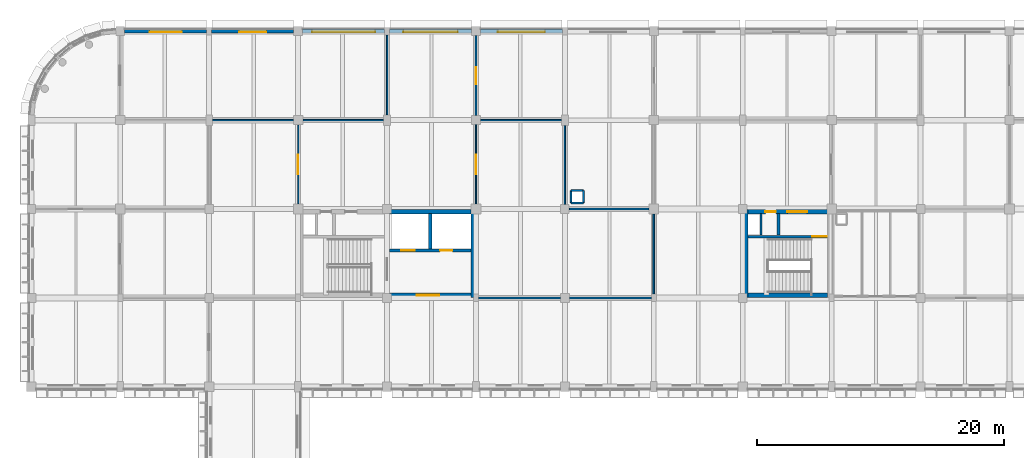
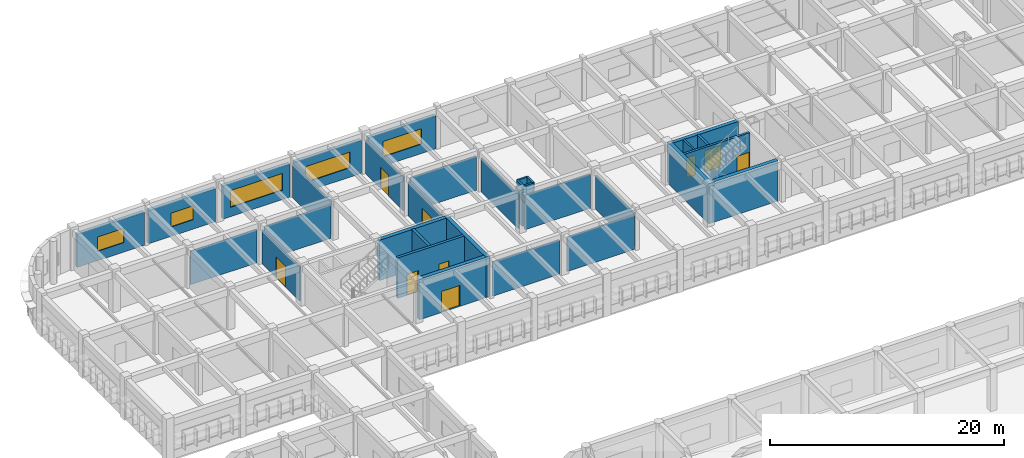
# One storey, part 45 of 61: 32 walls, 9 doors, 5 windows, 14 openings.
"""IFC4 building model written with IfcOpenShell, lengths in metres."""

from ifc_helpers import new_model, si_unit, direction, frame, frame_2d, origin, place, context, subcontext, project, spatial, rectangle, extrude, material, layer, layer_set, type_object, element, fill, save


model = new_model("IFC4")

# Units and contexts
model_context = context("Model", 3, precision=1e-05, world=origin(), true_north=direction((0.0, 1.0)))
body_context = subcontext(model_context, "Body", "Model", "MODEL_VIEW")
ifc_project = project(units=[si_unit("LENGTHUNIT", "METRE"), si_unit("AREAUNIT", "SQUARE_METRE"), si_unit("VOLUMEUNIT", "CUBIC_METRE"), si_unit("PLANEANGLEUNIT", "RADIAN"), si_unit("MASSUNIT", "GRAM", prefix="KILO")], contexts=[model_context])

# Site, building, storey
site_placement = place(None, origin())
site = spatial("IfcSite", under=ifc_project, at=site_placement, CompositionType="ELEMENT")
building_placement = place(site_placement, origin())
building = spatial("IfcBuilding", under=site, at=building_placement, Name="Thalmaran Polytechnic", CompositionType="ELEMENT")
storey_placement = place(building_placement, frame((0.0, 0.0, 9.89990234375)))
storey = spatial("IfcBuildingStorey", under=building, at=storey_placement, Name="L02", CompositionType="ELEMENT", Elevation=9.89990234375)

# Wall, opening, window
ifc_material_1 = material(Name="Precast concrete C40/50", Category="concrete")
ifc_layer_1 = layer(ifc_material_1, 0.330078125, Name="Precast concrete C40/50")
ifc_layer_set_1 = layer_set([ifc_layer_1], Name="Precast concrete C40/50")
wall_type_1 = type_object("IfcWallType", Name="WL-EW02", PredefinedType="STANDARD", material=ifc_layer_set_1)
wall_1_placement = place(storey_placement, frame((7.56005859375, 122.39990234375, 0.0), z_axis=(0.0, 0.0, 1.0), x_axis=(1.0, 0.0, 0.0)))
wall_1 = element("IfcWall", 1, at=wall_1_placement, inside=storey, type_object=wall_type_1, Name="Exterior Precast Facade Wall L02-029", PredefinedType="STANDARD", context=body_context, shape_type="SweptSolid", body=[
    extrude(rectangle(XDim=6.639892578125, YDim=0.330078125, at=frame_2d((3.31982421875, 0.0))), origin(), (0.0, 0.0, 1.0), 3.47021484375),
])
opening_1_placement = place(wall_1_placement, frame((2.02001953125, 0.0, 0.97998046875)))
opening_1 = element("IfcOpeningElement", 2, at=opening_1_placement, cuts=wall_1, Name="Opening VW05", PredefinedType="OPENING", context=body_context, shape_type="SweptSolid", body=[
    extrude(rectangle(XDim=2.60009765625, YDim=1.5, at=frame_2d((1.300048828125, 0.75))), frame((0.0, 0.175048828125, 0.0), z_axis=(0.0, -1.0, 0.0), x_axis=(1.0, 0.0, 0.0)), (0.0, 0.0, 1.0), 0.35009765625),
])
ifc_material_2 = material(Name="Thermally broken aluminium and double low-E glass", Category="aluminium")
window_type_1 = type_object("IfcWindowType", Name="WN-VZ05", PartitioningType="DOUBLE_PANEL_VERTICAL", PredefinedType="WINDOW", material=ifc_material_2)
window_1_placement = place(opening_1_placement, origin())
window_1 = element("IfcWindow", 3, at=window_1_placement, inside=storey, type_object=window_type_1, Name="Streamline Ribbon Window W-0229", OverallHeight=1.5, OverallWidth=2.60009765625, PartitioningType="SINGLE_PANEL", PredefinedType="WINDOW", context=body_context, shape_type="SweptSolid", body=[
    extrude(rectangle(XDim=2.60009765625, YDim=1.5, at=frame_2d((1.300048828125, 0.75))), frame((0.0, -0.030029296875, 0.0), z_axis=(0.0, -1.0, 0.0), x_axis=(1.0, 0.0, 0.0)), (0.0, 0.0, 1.0), 0.06005859375),
])
fill(opening_1, window_1)

wall_2_placement = place(storey_placement, frame((14.60009765625, 122.39990234375, 0.0), z_axis=(0.0, 0.0, 1.0), x_axis=(1.0, 0.0, 0.0)))
wall_2 = element("IfcWall", 4, at=wall_2_placement, inside=storey, type_object=wall_type_1, Name="Exterior Precast Facade Wall L02-030", PredefinedType="STANDARD", context=body_context, shape_type="SweptSolid", body=[
    extrude(rectangle(XDim=6.639892578125, YDim=0.330078125, at=frame_2d((3.31982421875, 0.0))), origin(), (0.0, 0.0, 1.0), 3.47021484375),
])
opening_2_placement = place(wall_2_placement, frame((2.219970703125, 0.0, 0.97998046875)))
opening_2 = element("IfcOpeningElement", 5, at=opening_2_placement, cuts=wall_2, Name="Opening VW06", PredefinedType="OPENING", context=body_context, shape_type="SweptSolid", body=[
    extrude(rectangle(XDim=2.199951171875, YDim=1.449951171875, at=frame_2d((1.10009765625, 0.72509765625))), frame((0.0, 0.175048828125, 0.0), z_axis=(0.0, -1.0, 0.0), x_axis=(1.0, 0.0, 0.0)), (0.0, 0.0, 1.0), 0.35009765625),
])
window_type_2 = type_object("IfcWindowType", Name="WN-VZ06", PartitioningType="DOUBLE_PANEL_VERTICAL", PredefinedType="WINDOW", material=ifc_material_2)
window_2_placement = place(opening_2_placement, origin())
window_2 = element("IfcWindow", 6, at=window_2_placement, inside=storey, type_object=window_type_2, Name="Streamline Ribbon Window W-0230", OverallHeight=1.449951171875, OverallWidth=2.199951171875, PartitioningType="SINGLE_PANEL", PredefinedType="WINDOW", context=body_context, shape_type="SweptSolid", body=[
    extrude(rectangle(XDim=2.199951171875, YDim=1.449951171875, at=frame_2d((1.10009765625, 0.72509765625))), frame((0.0, -0.030029296875, 0.0), z_axis=(0.0, -1.0, 0.0), x_axis=(1.0, 0.0, 0.0)), (0.0, 0.0, 1.0), 0.06005859375),
])
fill(opening_2, window_2)

wall_3_placement = place(storey_placement, frame((21.9599609375, 122.39990234375, 0.0), z_axis=(0.0, 0.0, 1.0), x_axis=(1.0, 0.0, 0.0)))
wall_3 = element("IfcWall", 7, at=wall_3_placement, inside=storey, type_object=wall_type_1, Name="Exterior Precast Facade Wall L02-031", PredefinedType="STANDARD", context=body_context, shape_type="SweptSolid", body=[
    extrude(rectangle(XDim=6.64013671875, YDim=0.330078125, at=frame_2d((3.320068359375, 0.0))), origin(), (0.0, 0.0, 1.0), 3.47021484375),
])
opening_3_placement = place(wall_3_placement, frame((0.77001953125, 0.0, 0.97998046875)))
opening_3 = element("IfcOpeningElement", 8, at=opening_3_placement, cuts=wall_3, Name="Opening VW15", PredefinedType="OPENING", context=body_context, shape_type="SweptSolid", body=[
    extrude(rectangle(XDim=5.10009765625, YDim=1.75, at=frame_2d((2.550048828125, 0.875))), frame((0.0, 0.175048828125, 0.0), z_axis=(0.0, -1.0, 0.0), x_axis=(1.0, 0.0, 0.0)), (0.0, 0.0, 1.0), 0.35009765625),
])
window_type_3 = type_object("IfcWindowType", Name="WN-VZ15", PartitioningType="TRIPLE_PANEL_HORIZONTAL", PredefinedType="WINDOW", material=ifc_material_2)
window_3_placement = place(opening_3_placement, origin())
window_3 = element("IfcWindow", 9, at=window_3_placement, inside=storey, type_object=window_type_3, Name="Streamline Ribbon Window W-0231", OverallHeight=1.75, OverallWidth=5.10009765625, PartitioningType="SINGLE_PANEL", PredefinedType="WINDOW", context=body_context, shape_type="SweptSolid", body=[
    extrude(rectangle(XDim=5.10009765625, YDim=1.75, at=frame_2d((2.550048828125, 0.875))), frame((0.0, -0.030029296875, 0.0), z_axis=(0.0, -1.0, 0.0), x_axis=(1.0, 0.0, 0.0)), (0.0, 0.0, 1.0), 0.06005859375),
])
fill(opening_3, window_3)

wall_4_placement = place(storey_placement, frame((29.0, 122.39990234375, 0.0), z_axis=(0.0, 0.0, 1.0), x_axis=(1.0, 0.0, 0.0)))
wall_4 = element("IfcWall", 10, at=wall_4_placement, inside=storey, type_object=wall_type_1, Name="Exterior Precast Facade Wall L02-032", PredefinedType="STANDARD", context=body_context, shape_type="SweptSolid", body=[
    extrude(rectangle(XDim=6.639892578125, YDim=0.330078125, at=frame_2d((3.31982421875, 0.0))), origin(), (0.0, 0.0, 1.0), 3.47021484375),
])
opening_4_placement = place(wall_4_placement, frame((1.1201171875, 0.0, 0.97998046875)))
opening_4 = element("IfcOpeningElement", 11, at=opening_4_placement, cuts=wall_4, Name="Opening VW16", PredefinedType="OPENING", context=body_context, shape_type="SweptSolid", body=[
    extrude(rectangle(XDim=4.39990234375, YDim=1.64990234375, at=frame_2d((2.199951171875, 0.824951171875))), frame((0.0, 0.175048828125, 0.0), z_axis=(0.0, -1.0, 0.0), x_axis=(1.0, 0.0, 0.0)), (0.0, 0.0, 1.0), 0.35009765625),
])
window_type_4 = type_object("IfcWindowType", Name="WN-VZ16", PartitioningType="TRIPLE_PANEL_HORIZONTAL", PredefinedType="WINDOW", material=ifc_material_2)
window_4_placement = place(opening_4_placement, origin())
window_4 = element("IfcWindow", 12, at=window_4_placement, inside=storey, type_object=window_type_4, Name="Streamline Ribbon Window W-0232", OverallHeight=1.64990234375, OverallWidth=4.39990234375, PartitioningType="SINGLE_PANEL", PredefinedType="WINDOW", context=body_context, shape_type="SweptSolid", body=[
    extrude(rectangle(XDim=4.39990234375, YDim=1.64990234375, at=frame_2d((2.199951171875, 0.824951171875))), frame((0.0, -0.030029296875, 0.0), z_axis=(0.0, -1.0, 0.0), x_axis=(1.0, 0.0, 0.0)), (0.0, 0.0, 1.0), 0.06005859375),
])
fill(opening_4, window_4)

wall_5_placement = place(storey_placement, frame((36.360107421875, 122.39990234375, 0.0), z_axis=(0.0, 0.0, 1.0), x_axis=(1.0, 0.0, 0.0)))
wall_5 = element("IfcWall", 13, at=wall_5_placement, inside=storey, type_object=wall_type_1, Name="Exterior Precast Facade Wall L02-033", PredefinedType="STANDARD", context=body_context, shape_type="SweptSolid", body=[
    extrude(rectangle(XDim=6.639892578125, YDim=0.330078125, at=frame_2d((3.31982421875, 0.0))), origin(), (0.0, 0.0, 1.0), 3.47021484375),
])
opening_5_placement = place(wall_5_placement, frame((1.419921875, 0.0, 0.97998046875)))
opening_5 = element("IfcOpeningElement", 14, at=opening_5_placement, cuts=wall_5, Name="Opening VW17", PredefinedType="OPENING", context=body_context, shape_type="SweptSolid", body=[
    extrude(rectangle(XDim=3.800048828125, YDim=1.60009765625, at=frame_2d((1.89990234375, 0.800048828125))), frame((0.0, 0.175048828125, 0.0), z_axis=(0.0, -1.0, 0.0), x_axis=(1.0, 0.0, 0.0)), (0.0, 0.0, 1.0), 0.35009765625),
])
window_type_5 = type_object("IfcWindowType", Name="WN-VZ17", PartitioningType="DOUBLE_PANEL_VERTICAL", PredefinedType="WINDOW", material=ifc_material_2)
window_5_placement = place(opening_5_placement, origin())
window_5 = element("IfcWindow", 15, at=window_5_placement, inside=storey, type_object=window_type_5, Name="Streamline Ribbon Window W-0233", OverallHeight=1.60009765625, OverallWidth=3.800048828125, PartitioningType="SINGLE_PANEL", PredefinedType="WINDOW", context=body_context, shape_type="SweptSolid", body=[
    extrude(rectangle(XDim=3.800048828125, YDim=1.60009765625, at=frame_2d((1.89990234375, 0.800048828125))), frame((0.0, -0.030029296875, 0.0), z_axis=(0.0, -1.0, 0.0), x_axis=(1.0, 0.0, 0.0)), (0.0, 0.0, 1.0), 0.06005859375),
])
fill(opening_5, window_5)

# Walls
ifc_material_3 = material(Name="Autoclaved aerated masonry", Category="masonry")
ifc_layer_2 = layer(ifc_material_3, 0.25, Name="Autoclaved aerated masonry")
ifc_layer_set_2 = layer_set([ifc_layer_2], Name="Autoclaved aerated masonry")
wall_type_2 = type_object("IfcWallType", Name="WL-IW01", PredefinedType="PARTITIONING", material=ifc_layer_set_2)
wall_6_placement = place(storey_placement, frame((32.300048828125, 104.780029296875, 0.0), z_axis=(0.0, 0.0, 1.0), x_axis=(0.0, 1.0, 0.0)))
element("IfcWall", 16, at=wall_6_placement, inside=storey, type_object=wall_type_2, Name="Core C2 Shaft Dividing Wall L02", PredefinedType="PARTITIONING", context=body_context, shape_type="SweptSolid", body=[
    extrude(rectangle(XDim=2.869873046875, YDim=0.25, at=frame_2d((1.43505859375, 0.0))), origin(), (0.0, 0.0, 1.0), 4.22509765625),
])
ifc_layer_3 = layer(ifc_material_3, 0.22998046875, Name="Autoclaved aerated masonry")
ifc_layer_set_3 = layer_set([ifc_layer_3], Name="Autoclaved aerated masonry")
wall_type_3 = type_object("IfcWallType", Name="WL-IW02", PredefinedType="PARTITIONING", material=ifc_layer_set_3)
wall_7_placement = place(storey_placement, frame((60.5, 105.89990234375, 0.0), z_axis=(0.0, 0.0, 1.0), x_axis=(0.0, 1.0, 0.0)))
element("IfcWall", 17, at=wall_7_placement, inside=storey, type_object=wall_type_3, Name="Core C6 Riser Partition L02", PredefinedType="PARTITIONING", context=body_context, shape_type="SweptSolid", body=[
    extrude(rectangle(XDim=1.739990234375, YDim=0.22998046875, at=frame_2d((0.8701171875, 0.0))), origin(), (0.0, 0.0, 1.0), 4.22509765625),
])
ifc_layer_4 = layer(ifc_material_3, 0.179931640625, Name="Autoclaved aerated masonry")
ifc_layer_set_4 = layer_set([ifc_layer_4], Name="Autoclaved aerated masonry")
wall_type_4 = type_object("IfcWallType", Name="WL-IW04", PredefinedType="PARTITIONING", material=ifc_layer_set_4)
wall_8_placement = place(storey_placement, frame((59.080078125, 105.8798828125, 0.0), z_axis=(0.0, 0.0, 1.0), x_axis=(0.0, 1.0, 0.0)))
element("IfcWall", 18, at=wall_8_placement, inside=storey, type_object=wall_type_4, Name="Core C6 Riser Shaft Enclosure Wall L02", PredefinedType="PARTITIONING", context=body_context, shape_type="SweptSolid", body=[
    extrude(rectangle(XDim=1.760009765625, YDim=0.179931640625, at=frame_2d((0.8798828125, 0.0))), origin(), (0.0, 0.0, 1.0), 4.22509765625),
])
for number, where, z_axis, x_axis, name in (
    (19, (43.68994140625, 108.489990234375, 0.0), (0.0, 0.0, 1.0), (1.0, 0.0, 0.0), "Fume Exhaust Riser Shaft Wall L02 (6,15)-S"),
    (20, (44.7099609375, 108.489990234375, 0.0), (0.0, 0.0, 1.0), (0.0, 1.0, 0.0), "Fume Exhaust Riser Shaft Wall L02 (6,15)-E"),
    (21, (44.7099609375, 109.510009765625, 0.0), (0.0, 0.0, 1.0), (-1.0, 0.0, 0.0), "Fume Exhaust Riser Shaft Wall L02 (6,15)-N"),
    (22, (43.68994140625, 109.510009765625, 0.0), (0.0, 0.0, 1.0), (0.0, -1.0, 0.0), "Fume Exhaust Riser Shaft Wall L02 (6,15)-W"),
):
    element("IfcWall", number, at=place(storey_placement, frame(where, z_axis=z_axis, x_axis=x_axis)), inside=storey, type_object=wall_type_4, Name=name, PredefinedType="PARTITIONING", context=body_context, shape_type="SweptSolid", body=[
        extrude(rectangle(XDim=1.02001953125, YDim=0.179931640625, at=frame_2d((0.510009765625, 0.0))), origin(), (0.0, 0.0, 1.0), 4.22509765625),
    ])
ifc_material_4 = material(Name="Gypsum acoustic partition")
ifc_layer_5 = layer(ifc_material_4, 0.14501953125, Name="Gypsum acoustic partition")
ifc_layer_set_5 = layer_set([ifc_layer_5], Name="Gypsum acoustic partition")
wall_type_5 = type_object("IfcWallType", Name="WL-IW06", PredefinedType="PARTITIONING", material=ifc_layer_set_5)
wall_9_placement = place(storey_placement, frame((36.205078125, 100.800048828125, 0.0), z_axis=(0.0, 0.0, 1.0), x_axis=(1.0, 0.0, 0.0)))
element("IfcWall", 23, at=wall_9_placement, inside=storey, type_object=wall_type_5, Name="Interior Partition IW06 L02-055", PredefinedType="PARTITIONING", context=body_context, shape_type="SweptSolid", body=[
    extrude(rectangle(XDim=6.6298828125, YDim=0.14501953125, at=frame_2d((3.31494140625, 0.0))), origin(), (0.0, 0.0, 1.0), 3.5751953125),
])
wall_10_placement = place(storey_placement, frame((43.56494140625, 100.800048828125, 0.0), z_axis=(0.0, 0.0, 1.0), x_axis=(1.0, 0.0, 0.0)))
element("IfcWall", 24, at=wall_10_placement, inside=storey, type_object=wall_type_5, Name="Interior Partition IW06 L02-062", PredefinedType="PARTITIONING", context=body_context, shape_type="SweptSolid", body=[
    extrude(rectangle(XDim=6.630126953125, YDim=0.14501953125, at=frame_2d((3.31494140625, 0.0))), origin(), (0.0, 0.0, 1.0), 3.585205078125),
])
wall_11_placement = place(storey_placement, frame((50.39990234375, 101.10498046875, 0.0), z_axis=(0.0, 0.0, 1.0), x_axis=(0.0, 1.0, 0.0)))
element("IfcWall", 25, at=wall_11_placement, inside=storey, type_object=wall_type_5, Name="Interior Partition IW06 L02-063", PredefinedType="PARTITIONING", context=body_context, shape_type="SweptSolid", body=[
    extrude(rectangle(XDim=6.5, YDim=0.14501953125, at=frame_2d((3.25, 0.0))), origin(), (0.0, 0.0, 1.0), 3.5400390625),
])

# Wall, opening, door
ifc_layer_6 = layer(ifc_material_4, 0.1298828125, Name="Gypsum acoustic partition")
ifc_layer_set_6 = layer_set([ifc_layer_6], Name="Gypsum acoustic partition")
wall_type_6 = type_object("IfcWallType", Name="WL-IW07", PredefinedType="PARTITIONING", material=ifc_layer_set_6)
wall_12_placement = place(storey_placement, frame((21.60009765625, 108.39501953125, 0.0), z_axis=(0.0, 0.0, 1.0), x_axis=(0.0, 1.0, 0.0)))
wall_12 = element("IfcWall", 26, at=wall_12_placement, inside=storey, type_object=wall_type_6, Name="Interior Partition IW07 L02-036", PredefinedType="PARTITIONING", context=body_context, shape_type="SweptSolid", body=[
    extrude(rectangle(XDim=6.425048828125, YDim=0.1298828125, at=frame_2d((3.21240234375, 0.0))), origin(), (0.0, 0.0, 1.0), 3.53515625),
])
opening_6_placement = place(wall_12_placement, frame((2.41259765625, 0.0, 0.0)))
opening_6 = element("IfcOpeningElement", 27, at=opening_6_placement, cuts=wall_12, Name="Opening D-L02-018-2-05-1", PredefinedType="OPENING", context=body_context, shape_type="SweptSolid", body=[
    extrude(rectangle(XDim=1.60009765625, YDim=2.199951171875, at=frame_2d((0.800048828125, 1.10009765625))), frame((0.0, 0.074951171875, 0.0), z_axis=(0.0, -1.0, 0.0), x_axis=(1.0, 0.0, 0.0)), (0.0, 0.0, 1.0), 0.14990234375),
])
ifc_material_5 = material(Name="Powder-coated fire-rated steel", Category="steel")
door_type_1 = type_object("IfcDoorType", Name="DR-FD05", OperationType="NOTDEFINED", PredefinedType="DOOR", material=ifc_material_5)
door_1_placement = place(opening_6_placement, origin())
door_1 = element("IfcDoor", 28, at=door_1_placement, inside=storey, type_object=door_type_1, Name="Library Book Stacks L02-05 Door 1", OperationType="DOUBLE_DOOR_SINGLE_SWING", OverallHeight=2.199951171875, OverallWidth=1.60009765625, PredefinedType="DOOR", context=body_context, shape_type="SweptSolid", body=[
    extrude(rectangle(XDim=1.60009765625, YDim=2.199951171875, at=frame_2d((0.800048828125, 1.10009765625))), frame((0.0, 0.02490234375, 0.0), z_axis=(0.0, -1.0, 0.0), x_axis=(1.0, 0.0, 0.0)), (0.0, 0.0, 1.0), 0.050048828125),
])
fill(opening_6, door_1)

# Wall
wall_13_placement = place(storey_placement, frame((28.800048828125, 115.6298828125, 0.0), z_axis=(0.0, 0.0, 1.0), x_axis=(0.0, 1.0, 0.0)))
element("IfcWall", 29, at=wall_13_placement, inside=storey, type_object=wall_type_6, Name="Interior Partition IW07 L02-044", PredefinedType="PARTITIONING", context=body_context, shape_type="SweptSolid", body=[
    extrude(rectangle(XDim=6.465087890625, YDim=0.1298828125, at=frame_2d((3.232421875, 0.0))), origin(), (0.0, 0.0, 1.0), 3.530029296875),
])

# Wall, opening, door
wall_14_placement = place(storey_placement, frame((36.0, 115.580078125, 0.0), z_axis=(0.0, 0.0, 1.0), x_axis=(0.0, 1.0, 0.0)))
wall_14 = element("IfcWall", 30, at=wall_14_placement, inside=storey, type_object=wall_type_6, Name="Interior Partition IW07 L02-050", PredefinedType="PARTITIONING", context=body_context, shape_type="SweptSolid", body=[
    extrude(rectangle(XDim=6.454833984375, YDim=0.1298828125, at=frame_2d((3.2275390625, 0.0))), origin(), (0.0, 0.0, 1.0), 3.530029296875),
])
opening_7_placement = place(wall_14_placement, frame((2.53759765625, 0.0, 0.0)))
opening_7 = element("IfcOpeningElement", 31, at=opening_7_placement, cuts=wall_14, Name="Opening D-L02-020-2-07-1", PredefinedType="OPENING", context=body_context, shape_type="SweptSolid", body=[
    extrude(rectangle(XDim=1.3798828125, YDim=2.219970703125, at=frame_2d((0.68994140625, 1.10986328125))), frame((0.0, 0.074951171875, 0.0), z_axis=(0.0, -1.0, 0.0), x_axis=(1.0, 0.0, 0.0)), (0.0, 0.0, 1.0), 0.14990234375),
])
ifc_material_6 = material(Name="Acoustic hardwood and vision glass", Category="wood")
door_type_2 = type_object("IfcDoorType", Name="DR-ZD04", OperationType="NOTDEFINED", PredefinedType="DOOR", material=ifc_material_6)
door_2_placement = place(opening_7_placement, origin())
door_2 = element("IfcDoor", 32, at=door_2_placement, inside=storey, type_object=door_type_2, Name="Seminar Room L02-07 Door 1", OperationType="SINGLE_SWING_RIGHT", OverallHeight=2.219970703125, OverallWidth=1.3798828125, PredefinedType="DOOR", context=body_context, shape_type="SweptSolid", body=[
    extrude(rectangle(XDim=1.3798828125, YDim=2.219970703125, at=frame_2d((0.68994140625, 1.10986328125))), frame((0.0, 0.02490234375, 0.0), z_axis=(0.0, -1.0, 0.0), x_axis=(1.0, 0.0, 0.0)), (0.0, 0.0, 1.0), 0.050048828125),
])
fill(opening_7, door_2)

# Walls
wall_15_placement = place(storey_placement, frame((43.199951171875, 108.35498046875, 0.0), z_axis=(0.0, 0.0, 1.0), x_axis=(0.0, 1.0, 0.0)))
element("IfcWall", 33, at=wall_15_placement, inside=storey, type_object=wall_type_6, Name="Interior Partition IW07 L02-056", PredefinedType="PARTITIONING", context=body_context, shape_type="SweptSolid", body=[
    extrude(rectangle(XDim=6.4150390625, YDim=0.1298828125, at=frame_2d((3.20751953125, 0.0))), origin(), (0.0, 0.0, 1.0), 3.53515625),
])
wall_16_placement = place(storey_placement, frame((43.554931640625, 108.0, 0.0), z_axis=(0.0, 0.0, 1.0), x_axis=(1.0, 0.0, 0.0)))
element("IfcWall", 34, at=wall_16_placement, inside=storey, type_object=wall_type_6, Name="Interior Partition IW07 L02-064", PredefinedType="PARTITIONING", context=body_context, shape_type="SweptSolid", body=[
    extrude(rectangle(XDim=6.449951171875, YDim=0.1298828125, at=frame_2d((3.22509765625, 0.0))), origin(), (0.0, 0.0, 1.0), 3.585205078125),
])
ifc_layer_7 = layer(ifc_material_4, 0.114990234375, Name="Gypsum acoustic partition")
ifc_layer_set_7 = layer_set([ifc_layer_7], Name="Gypsum acoustic partition")
wall_type_7 = type_object("IfcWallType", Name="WL-IW08", PredefinedType="PARTITIONING", material=ifc_layer_set_7)
wall_17_placement = place(storey_placement, frame((14.679931640625, 115.199951171875, 0.0), z_axis=(0.0, 0.0, 1.0), x_axis=(1.0, 0.0, 0.0)))
element("IfcWall", 35, at=wall_17_placement, inside=storey, type_object=wall_type_7, Name="Interior Partition IW08 L02-037", PredefinedType="PARTITIONING", context=body_context, shape_type="SweptSolid", body=[
    extrude(rectangle(XDim=6.5400390625, YDim=0.114990234375, at=frame_2d((3.27001953125, 0.0))), origin(), (0.0, 0.0, 1.0), 3.505126953125),
])
wall_18_placement = place(storey_placement, frame((21.97998046875, 115.199951171875, 0.0), z_axis=(0.0, 0.0, 1.0), x_axis=(1.0, 0.0, 0.0)))
element("IfcWall", 36, at=wall_18_placement, inside=storey, type_object=wall_type_7, Name="Interior Partition IW08 L02-043", PredefinedType="PARTITIONING", context=body_context, shape_type="SweptSolid", body=[
    extrude(rectangle(XDim=6.5400390625, YDim=0.114990234375, at=frame_2d((3.27001953125, 0.0))), origin(), (0.0, 0.0, 1.0), 3.525146484375),
])

# Wall, opening, door
wall_19_placement = place(storey_placement, frame((36.0, 108.39501953125, 0.0), z_axis=(0.0, 0.0, 1.0), x_axis=(0.0, 1.0, 0.0)))
wall_19 = element("IfcWall", 37, at=wall_19_placement, inside=storey, type_object=wall_type_7, Name="Interior Partition IW08 L02-049", PredefinedType="PARTITIONING", context=body_context, shape_type="SweptSolid", body=[
    extrude(rectangle(XDim=6.425048828125, YDim=0.114990234375, at=frame_2d((3.21240234375, 0.0))), origin(), (0.0, 0.0, 1.0), 3.53515625),
])
opening_8_placement = place(wall_19_placement, frame((2.4326171875, 0.0, 0.0)))
opening_8 = element("IfcOpeningElement", 38, at=opening_8_placement, cuts=wall_19, Name="Opening D-L02-019-2-06-1", PredefinedType="OPENING", context=body_context, shape_type="SweptSolid", body=[
    extrude(rectangle(XDim=1.56005859375, YDim=2.25, at=frame_2d((0.780029296875, 1.125))), frame((0.0, 0.0673828125, 0.0), z_axis=(0.0, -1.0, 0.0), x_axis=(1.0, 0.0, 0.0)), (0.0, 0.0, 1.0), 0.135009765625),
])
door_type_3 = type_object("IfcDoorType", Name="DR-ZD03", OperationType="NOTDEFINED", PredefinedType="DOOR", material=ifc_material_6)
door_3_placement = place(opening_8_placement, origin())
door_3 = element("IfcDoor", 39, at=door_3_placement, inside=storey, type_object=door_type_3, Name="Digital Learning Commons L02-06 Door 1", OperationType="SINGLE_SWING_LEFT", OverallHeight=2.25, OverallWidth=1.56005859375, PredefinedType="DOOR", context=body_context, shape_type="SweptSolid", body=[
    extrude(rectangle(XDim=1.56005859375, YDim=2.25, at=frame_2d((0.780029296875, 1.125))), frame((0.0, 0.02490234375, 0.0), z_axis=(0.0, -1.0, 0.0), x_axis=(1.0, 0.0, 0.0)), (0.0, 0.0, 1.0), 0.050048828125),
])
fill(opening_8, door_3)

# Wall
wall_20_placement = place(storey_placement, frame((36.3798828125, 115.199951171875, 0.0), z_axis=(0.0, 0.0, 1.0), x_axis=(1.0, 0.0, 0.0)))
element("IfcWall", 40, at=wall_20_placement, inside=storey, type_object=wall_type_7, Name="Interior Partition IW08 L02-057", PredefinedType="PARTITIONING", context=body_context, shape_type="SweptSolid", body=[
    extrude(rectangle(XDim=6.5400390625, YDim=0.114990234375, at=frame_2d((3.27001953125, 0.0))), origin(), (0.0, 0.0, 1.0), 3.5751953125),
])

# Wall, opening, door
ifc_material_7 = material(Name="Concrete C50/60", Category="concrete")
ifc_layer_8 = layer(ifc_material_7, 0.3798828125, Name="Concrete C50/60")
ifc_layer_set_8 = layer_set([ifc_layer_8], Name="Concrete C50/60")
wall_type_8 = type_object("IfcWallType", Name="WL-SW02", PredefinedType="SHEAR", material=ifc_layer_set_8)
wall_21_placement = place(storey_placement, frame((28.989990234375, 101.02001953125, 0.0), z_axis=(0.0, 0.0, 1.0), x_axis=(1.0, 0.0, 0.0)))
wall_21 = element("IfcWall", 41, at=wall_21_placement, inside=storey, type_object=wall_type_8, Name="Core C2 Lobby South Wall L02", PredefinedType="SHEAR", context=body_context, shape_type="SweptSolid", body=[
    extrude(rectangle(XDim=6.60009765625, YDim=0.3798828125, at=frame_2d((3.300048828125, 0.0))), origin(), (0.0, 0.0, 1.0), 4.22509765625),
])
opening_9_placement = place(wall_21_placement, frame((2.219970703125, 0.0, 0.0)))
opening_9 = element("IfcOpeningElement", 42, at=opening_9_placement, cuts=wall_21, Name="Opening FD-C2-L02", PredefinedType="OPENING", context=body_context, shape_type="SweptSolid", body=[
    extrude(rectangle(XDim=1.800048828125, YDim=2.199951171875, at=frame_2d((0.89990234375, 1.10009765625))), frame((0.0, 0.199951171875, 0.0), z_axis=(0.0, -1.0, 0.0), x_axis=(1.0, 0.0, 0.0)), (0.0, 0.0, 1.0), 0.39990234375),
])
door_type_4 = type_object("IfcDoorType", Name="DR-FD01", OperationType="NOTDEFINED", PredefinedType="DOOR", material=ifc_material_5)
door_4_placement = place(opening_9_placement, origin())
door_4 = element("IfcDoor", 43, at=door_4_placement, inside=storey, type_object=door_type_4, Name="Firefighting Lift Lobby Entrance Door C2 L02", OperationType="DOUBLE_DOOR_SINGLE_SWING", OverallHeight=2.199951171875, OverallWidth=1.800048828125, PredefinedType="DOOR", context=body_context, shape_type="SweptSolid", body=[
    extrude(rectangle(XDim=1.800048828125, YDim=2.199951171875, at=frame_2d((0.89990234375, 1.10009765625))), frame((0.0, 0.02490234375, 0.0), z_axis=(0.0, -1.0, 0.0), x_axis=(1.0, 0.0, 0.0)), (0.0, 0.0, 1.0), 0.050048828125),
])
fill(opening_9, door_4)

# Walls
wall_22_placement = place(storey_placement, frame((35.780029296875, 100.830078125, 0.0), z_axis=(0.0, 0.0, 1.0), x_axis=(0.0, 1.0, 0.0)))
element("IfcWall", 44, at=wall_22_placement, inside=storey, type_object=wall_type_8, Name="Core C2 Lobby East Shear Wall L02", PredefinedType="SHEAR", context=body_context, shape_type="SweptSolid", body=[
    extrude(rectangle(XDim=7.139892578125, YDim=0.3798828125, at=frame_2d((3.56982421875, 0.0))), origin(), (0.0, 0.0, 1.0), 4.22509765625),
])
wall_23_placement = place(storey_placement, frame((28.989990234375, 107.780029296875, 0.0), z_axis=(0.0, 0.0, 1.0), x_axis=(1.0, 0.0, 0.0)))
element("IfcWall", 45, at=wall_23_placement, inside=storey, type_object=wall_type_8, Name="Core C2 Lift Shaft Back Shear Wall L02", PredefinedType="SHEAR", context=body_context, shape_type="SweptSolid", body=[
    extrude(rectangle(XDim=6.60009765625, YDim=0.3798828125, at=frame_2d((3.300048828125, 0.0))), origin(), (0.0, 0.0, 1.0), 4.22509765625),
])

# Wall, openings, doors
wall_24_placement = place(storey_placement, frame((28.989990234375, 104.64990234375, 0.0), z_axis=(0.0, 0.0, 1.0), x_axis=(1.0, 0.0, 0.0)))
wall_24 = element("IfcWall", 46, at=wall_24_placement, inside=storey, type_object=wall_type_8, Name="Core C2 Lift Landing Front Wall L02", PredefinedType="SHEAR", context=body_context, shape_type="SweptSolid", body=[
    extrude(rectangle(XDim=6.60009765625, YDim=0.260009765625, at=frame_2d((3.300048828125, 0.0))), origin(), (0.0, 0.0, 1.0), 4.22509765625),
])
opening_10_placement = place(wall_24_placement, frame((0.949951171875, 0.0, 0.0)))
opening_10 = element("IfcOpeningElement", 47, at=opening_10_placement, cuts=wall_24, Name="Opening LD-FL-02-L02", PredefinedType="OPENING", context=body_context, shape_type="SweptSolid", body=[
    extrude(rectangle(XDim=1.10009765625, YDim=2.199951171875, at=frame_2d((0.550048828125, 1.10009765625))), frame((0.0, 0.139892578125, 0.0), z_axis=(0.0, -1.0, 0.0), x_axis=(1.0, 0.0, 0.0)), (0.0, 0.0, 1.0), 0.280029296875),
])
opening_11_placement = place(wall_24_placement, frame((4.10009765625, 0.0, 0.0)))
opening_11 = element("IfcOpeningElement", 48, at=opening_11_placement, cuts=wall_24, Name="Opening LD-PL-03-L02", PredefinedType="OPENING", context=body_context, shape_type="SweptSolid", body=[
    extrude(rectangle(XDim=1.0, YDim=2.14990234375, at=frame_2d((0.5, 1.074951171875))), frame((0.0, 0.139892578125, 0.0), z_axis=(0.0, -1.0, 0.0), x_axis=(1.0, 0.0, 0.0)), (0.0, 0.0, 1.0), 0.280029296875),
])
ifc_material_8 = material(Name="Brushed stainless steel lift door", Category="steel")
door_type_5 = type_object("IfcDoorType", Name="DR-LD01", OperationType="NOTDEFINED", PredefinedType="DOOR", material=ifc_material_8)
door_5_placement = place(opening_10_placement, origin())
door_5 = element("IfcDoor", 49, at=door_5_placement, inside=storey, type_object=door_type_5, Name="Lift Landing Door FL-02 L02", OperationType="SLIDING_TO_LEFT", OverallHeight=2.199951171875, OverallWidth=1.10009765625, PredefinedType="DOOR", context=body_context, shape_type="SweptSolid", body=[
    extrude(rectangle(XDim=1.10009765625, YDim=2.199951171875, at=frame_2d((0.550048828125, 1.10009765625))), frame((0.0, 0.02490234375, 0.0), z_axis=(0.0, -1.0, 0.0), x_axis=(1.0, 0.0, 0.0)), (0.0, 0.0, 1.0), 0.050048828125),
])
fill(opening_10, door_5)
door_type_6 = type_object("IfcDoorType", Name="DR-LD02", OperationType="NOTDEFINED", PredefinedType="DOOR", material=ifc_material_8)
door_6_placement = place(opening_11_placement, origin())
door_6 = element("IfcDoor", 50, at=door_6_placement, inside=storey, type_object=door_type_6, Name="Lift Landing Door PL-03 L02", OperationType="SLIDING_TO_RIGHT", OverallHeight=2.14990234375, OverallWidth=1.0, PredefinedType="DOOR", context=body_context, shape_type="SweptSolid", body=[
    extrude(rectangle(XDim=1.0, YDim=2.14990234375, at=frame_2d((0.5, 1.074951171875))), frame((0.0, 0.02490234375, 0.0), z_axis=(0.0, -1.0, 0.0), x_axis=(1.0, 0.0, 0.0)), (0.0, 0.0, 1.0), 0.050048828125),
])
fill(opening_11, door_6)

# Walls
wall_25_placement = place(storey_placement, frame((58.010009765625, 101.02001953125, 0.0), z_axis=(0.0, 0.0, 1.0), x_axis=(1.0, 0.0, 0.0)))
element("IfcWall", 51, at=wall_25_placement, inside=storey, type_object=wall_type_8, Name="Core C6 South Shear Wall L02", PredefinedType="SHEAR", context=body_context, shape_type="SweptSolid", body=[
    extrude(rectangle(XDim=6.4599609375, YDim=0.3798828125, at=frame_2d((3.22998046875, 0.0))), origin(), (0.0, 0.0, 1.0), 4.22509765625),
])
wall_26_placement = place(storey_placement, frame((57.820068359375, 107.969970703125, 0.0), z_axis=(0.0, 0.0, 1.0), x_axis=(0.0, -1.0, 0.0)))
element("IfcWall", 52, at=wall_26_placement, inside=storey, type_object=wall_type_8, Name="Core C6 West Shear Wall L02", PredefinedType="SHEAR", context=body_context, shape_type="SweptSolid", body=[
    extrude(rectangle(XDim=7.139892578125, YDim=0.3798828125, at=frame_2d((3.56982421875, 0.0))), origin(), (0.0, 0.0, 1.0), 4.22509765625),
])

# Wall, openings, doors
wall_27_placement = place(storey_placement, frame((58.010009765625, 107.780029296875, 0.0), z_axis=(0.0, 0.0, 1.0), x_axis=(1.0, 0.0, 0.0)))
wall_27 = element("IfcWall", 53, at=wall_27_placement, inside=storey, type_object=wall_type_8, Name="Core C6 North Shear Wall L02", PredefinedType="SHEAR", context=body_context, shape_type="SweptSolid", body=[
    extrude(rectangle(XDim=6.4599609375, YDim=0.3798828125, at=frame_2d((3.22998046875, 0.0))), origin(), (0.0, 0.0, 1.0), 4.22509765625),
])
opening_12_placement = place(wall_27_placement, frame((1.419921875, 0.0, 0.0)))
opening_12 = element("IfcOpeningElement", 54, at=opening_12_placement, cuts=wall_27, Name="Opening DR-C6-L02-R", PredefinedType="OPENING", context=body_context, shape_type="SweptSolid", body=[
    extrude(rectangle(XDim=0.85009765625, YDim=2.10009765625, at=frame_2d((0.425048828125, 1.050048828125))), frame((0.0, 0.199951171875, 0.0), z_axis=(0.0, -1.0, 0.0), x_axis=(1.0, 0.0, 0.0)), (0.0, 0.0, 1.0), 0.39990234375),
])
opening_13_placement = place(wall_27_placement, frame((3.199951171875, 0.0, 0.0)))
opening_13 = element("IfcOpeningElement", 55, at=opening_13_placement, cuts=wall_27, Name="Opening LD-C6-L02", PredefinedType="OPENING", context=body_context, shape_type="SweptSolid", body=[
    extrude(rectangle(XDim=1.60009765625, YDim=2.199951171875, at=frame_2d((0.800048828125, 1.10009765625))), frame((0.0, 0.199951171875, 0.0), z_axis=(0.0, -1.0, 0.0), x_axis=(1.0, 0.0, 0.0)), (0.0, 0.0, 1.0), 0.39990234375),
])
door_7_placement = place(opening_13_placement, frame((1.60009765625, 0.0, 0.0), z_axis=(0.0, 0.0, 1.0), x_axis=(-1.0, 0.0, 0.0)))
door_7 = element("IfcDoor", 56, at=door_7_placement, inside=storey, type_object=door_type_1, Name="Stair Lobby Fire Door C6 L02", OperationType="DOUBLE_DOOR_SINGLE_SWING", OverallHeight=2.199951171875, OverallWidth=1.60009765625, PredefinedType="DOOR", context=body_context, shape_type="SweptSolid", body=[
    extrude(rectangle(XDim=1.60009765625, YDim=2.199951171875, at=frame_2d((0.800048828125, 1.10009765625))), frame((0.0, 0.02490234375, 0.0), z_axis=(0.0, -1.0, 0.0), x_axis=(1.0, 0.0, 0.0)), (0.0, 0.0, 1.0), 0.050048828125),
])
fill(opening_13, door_7)
door_type_7 = type_object("IfcDoorType", Name="DR-FD09", OperationType="NOTDEFINED", PredefinedType="DOOR", material=ifc_material_5)
door_8_placement = place(opening_12_placement, origin())
door_8 = element("IfcDoor", 57, at=door_8_placement, inside=storey, type_object=door_type_7, Name="Riser Access Fire Door C6 L02", OperationType="SINGLE_SWING_LEFT", OverallHeight=2.10009765625, OverallWidth=0.85009765625, PredefinedType="DOOR", context=body_context, shape_type="SweptSolid", body=[
    extrude(rectangle(XDim=0.85009765625, YDim=2.10009765625, at=frame_2d((0.425048828125, 1.050048828125))), frame((0.0, 0.02490234375, 0.0), z_axis=(0.0, -1.0, 0.0), x_axis=(1.0, 0.0, 0.0)), (0.0, 0.0, 1.0), 0.050048828125),
])
fill(opening_12, door_8)

# Wall, opening, door
wall_28_placement = place(storey_placement, frame((58.010009765625, 105.760009765625, 0.0), z_axis=(0.0, 0.0, 1.0), x_axis=(1.0, 0.0, 0.0)))
wall_28 = element("IfcWall", 58, at=wall_28_placement, inside=storey, type_object=wall_type_8, Name="Core C6 Stair Partition L02", PredefinedType="SHEAR", context=body_context, shape_type="SweptSolid", body=[
    extrude(rectangle(XDim=6.4599609375, YDim=0.219970703125, at=frame_2d((3.22998046875, 0.0))), origin(), (0.0, 0.0, 1.0), 4.22509765625),
])
opening_14_placement = place(wall_28_placement, frame((5.199951171875, 0.0, 0.0)))
opening_14 = element("IfcOpeningElement", 59, at=opening_14_placement, cuts=wall_28, Name="Opening SD-ST6-L02", PredefinedType="OPENING", context=body_context, shape_type="SweptSolid", body=[
    extrude(rectangle(XDim=1.199951171875, YDim=2.199951171875, at=frame_2d((0.60009765625, 1.10009765625))), frame((0.0, 0.119873046875, 0.0), z_axis=(0.0, -1.0, 0.0), x_axis=(1.0, 0.0, 0.0)), (0.0, 0.0, 1.0), 0.239990234375),
])
door_type_8 = type_object("IfcDoorType", Name="DR-FD04", OperationType="NOTDEFINED", PredefinedType="DOOR", material=ifc_material_5)
door_9_placement = place(opening_14_placement, origin())
door_9 = element("IfcDoor", 60, at=door_9_placement, inside=storey, type_object=door_type_8, Name="Exit Stair Fire Door ST6 L02", OperationType="DOUBLE_DOOR_SINGLE_SWING", OverallHeight=2.199951171875, OverallWidth=1.199951171875, PredefinedType="DOOR", context=body_context, shape_type="SweptSolid", body=[
    extrude(rectangle(XDim=1.199951171875, YDim=2.199951171875, at=frame_2d((0.60009765625, 1.10009765625))), frame((0.0, 0.02490234375, 0.0), z_axis=(0.0, -1.0, 0.0), x_axis=(1.0, 0.0, 0.0)), (0.0, 0.0, 1.0), 0.050048828125),
])
fill(opening_14, door_9)

save(model, "model.ifc")
